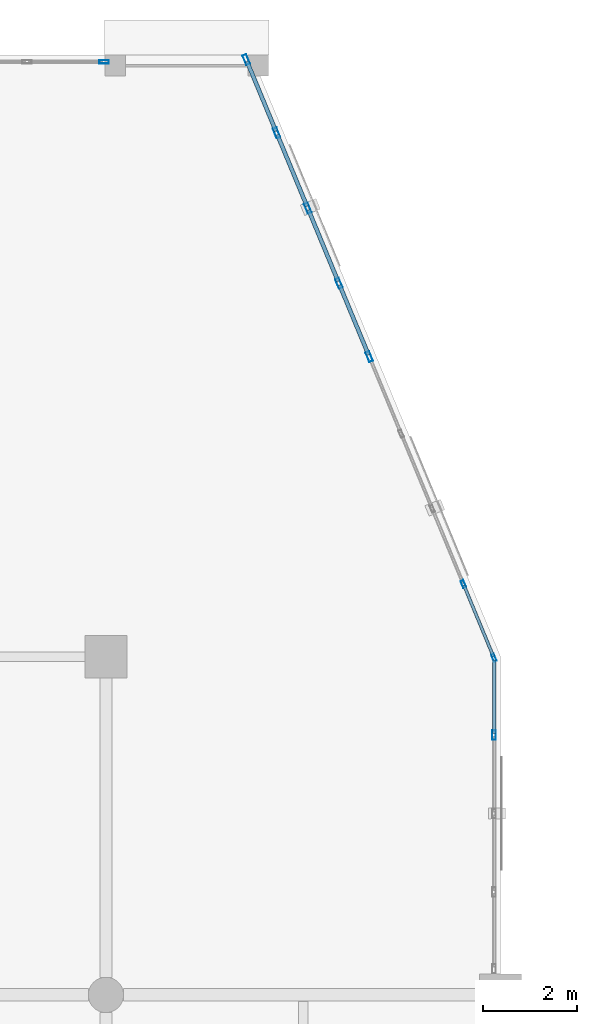
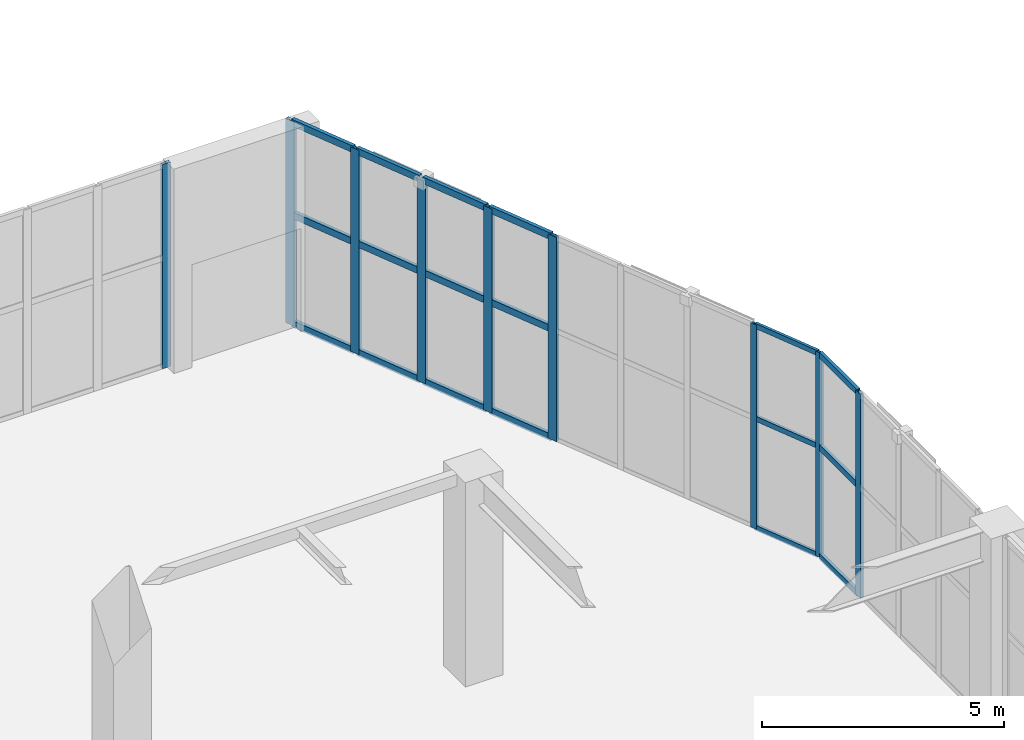
# One storey, part 64 of 139: 27 members, 4 elements without a shape of their own.
"""IFC4 building model written with IfcOpenShell, lengths in metres."""

import ifcopenshell
import ifcopenshell.guid

model = None  # the IFC model being written
_history = None  # IfcOwnerHistory: only IFC2X3 demands one
_inside = {}  # id of a spatial element -> (the spatial element, [elements in it])
_under = {}  # id of a project, library or spatial element -> (it, [spatial elements below it])
_declared = {}  # id of a project -> (the project, [libraries it declares])
_typed = {}  # id of a type object -> (the type object, [elements of that type])
_made_of = {}  # id of a material, layer set ... -> (it, [elements and type objects made of it])


def new_model(schema):
    """Start an empty IFC model of exactly this schema.

    Asked for "IFC4X3", IfcOpenShell would pick the latest addendum, in which some entities
    have other attributes; the version numbers below select the first issue.
    IFC2X3 requires an IfcOwnerHistory on every rooted entity: one is made here for all.
    """
    global model, _history
    if schema == "IFC4X3":
        model = ifcopenshell.file(schema_version=(4, 3, 0, 0))
    else:
        model = ifcopenshell.file(schema=schema)
    _inside.clear()
    _under.clear()
    _declared.clear()
    _typed.clear()
    _made_of.clear()
    _history = None
    if model.schema == "IFC2X3":
        org = make("IfcOrganization", Name="unknown")
        user = make(
            "IfcPersonAndOrganization",
            ThePerson=make("IfcPerson", FamilyName="unknown"),
            TheOrganization=org,
        )
        app = make(
            "IfcApplication",
            ApplicationDeveloper=org,
            Version="unknown",
            ApplicationFullName="unknown",
            ApplicationIdentifier="unknown",
        )
        _history = make(
            "IfcOwnerHistory",
            OwningUser=user,
            OwningApplication=app,
            ChangeAction="ADDED",
            CreationDate=0,
        )
    return model


def make(cls, **values):
    """One entity of the class cls with the attributes given. An attribute that is None is left unset."""
    return model.create_entity(
        cls, **{name: value for name, value in values.items() if value is not None}
    )


def rooted(cls, **values):
    """An entity with a GlobalId (a new one), such as an element, a storey or a relation."""
    return make(cls, GlobalId=ifcopenshell.guid.new(), OwnerHistory=_history, **values)


def si_unit(unit_type, name, prefix=None):
    """IfcSIUnit, for example si_unit("LENGTHUNIT", "METRE", prefix="MILLI")."""
    return make("IfcSIUnit", UnitType=unit_type, Prefix=prefix, Name=name)


def assignment(units):
    """IfcUnitAssignment: the units of a project."""
    return None if units is None else make("IfcUnitAssignment", Units=units)


def point(xyz):
    """IfcCartesianPoint."""
    return None if xyz is None else make("IfcCartesianPoint", Coordinates=xyz)


def direction(xyz):
    """IfcDirection."""
    return None if xyz is None else make("IfcDirection", DirectionRatios=xyz)


def frame(location, z_axis=None, x_axis=None):
    """IfcAxis2Placement3D, a coordinate frame: its origin and axes. An axis left out is left unset."""
    return make(
        "IfcAxis2Placement3D",
        Location=point(location),
        Axis=direction(z_axis),
        RefDirection=direction(x_axis),
    )


def frame_2d(location, x_axis=None):
    """IfcAxis2Placement2D, a coordinate frame in the plane: its origin and x axis."""
    return make(
        "IfcAxis2Placement2D", Location=point(location), RefDirection=direction(x_axis)
    )


def origin():
    """The frame at (0, 0, 0) with its axes left unset."""
    return frame((0.0, 0.0, 0.0))


def origin_2d():
    """The frame at (0, 0) in the plane with its x axis left unset."""
    return frame_2d((0.0, 0.0))


def place(relative_to, where):
    """IfcLocalPlacement: puts the frame where relative to a parent placement (None: the world)."""
    return make(
        "IfcLocalPlacement", PlacementRelTo=relative_to, RelativePlacement=where
    )


def context(
    kind, dimensions, precision=None, world=None, true_north=None, identifier=None
):
    """IfcGeometricRepresentationContext, for example the 3D "Model" context."""
    return make(
        "IfcGeometricRepresentationContext",
        ContextIdentifier=identifier,
        ContextType=kind,
        CoordinateSpaceDimension=dimensions,
        Precision=precision,
        WorldCoordinateSystem=world,
        TrueNorth=true_north,
    )


def subcontext(parent, identifier, kind, view, scale=None):
    """IfcGeometricRepresentationSubContext, for example "Body" below "Model"."""
    return make(
        "IfcGeometricRepresentationSubContext",
        ContextIdentifier=identifier,
        ContextType=kind,
        ParentContext=parent,
        TargetScale=scale,
        TargetView=view,
    )


def project(units=None, contexts=None):
    """IfcProject with its units and contexts."""
    return rooted(
        "IfcProject",
        Name="project",
        RepresentationContexts=contexts,
        UnitsInContext=assignment(units),
    )


def spatial(cls, under=None, at=None, **own):
    """A site, building, storey or space (cls), placed at a placement, below another one or the project."""
    s = rooted(cls, ObjectPlacement=at, **own)
    if under is not None:
        _under.setdefault(under.id(), (under, []))[1].append(s)
    return s


def profile(cls, at=None, kind="AREA", **sizes):
    """A parametric profile (cls). Its sizes go by their IFC names, for example OverallWidth=200.0."""
    return make(cls, ProfileType=kind, Position=at, **sizes)


def hollow_rectangle(**sizes):
    """IfcRectangleHollowProfileDef."""
    return profile("IfcRectangleHollowProfileDef", **sizes)


def extrude(swept, where, along, depth):
    """IfcExtrudedAreaSolid: the profile swept, set in the frame where, extruded along a direction by depth."""
    return make(
        "IfcExtrudedAreaSolid",
        SweptArea=swept,
        Position=where,
        ExtrudedDirection=direction(along),
        Depth=depth,
    )


def shape(context_of_items, identifier, shape_type, items):
    """IfcShapeRepresentation: the items that make up one representation, for example the "Body"."""
    return make(
        "IfcShapeRepresentation",
        ContextOfItems=context_of_items,
        RepresentationIdentifier=identifier,
        RepresentationType=shape_type,
        Items=items,
    )


def material(Name=None, Category=None):
    """IfcMaterial."""
    return make("IfcMaterial", Name=Name, Category=Category)


def layer(
    of_material, thickness, ventilated=None, Name=None, Category=None, Priority=None
):
    """IfcMaterialLayer: one layer of a wall or slab, of a material (None: an air gap)."""
    return make(
        "IfcMaterialLayer",
        Material=of_material,
        LayerThickness=thickness,
        IsVentilated=ventilated,
        Name=Name,
        Category=Category,
        Priority=Priority,
    )


def layer_set(layers, Name=None):
    """IfcMaterialLayerSet."""
    return make("IfcMaterialLayerSet", MaterialLayers=layers, LayerSetName=Name)


def material_profile(
    of_material, cross_section, Name=None, Category=None, Priority=None
):
    """IfcMaterialProfile: a cross section and its material."""
    return make(
        "IfcMaterialProfile",
        Name=Name,
        Material=of_material,
        Profile=cross_section,
        Priority=Priority,
        Category=Category,
    )


def profile_set(profiles, Name=None, composite=None):
    """IfcMaterialProfileSet."""
    return make(
        "IfcMaterialProfileSet",
        Name=Name,
        MaterialProfiles=profiles,
        CompositeProfile=composite,
    )


def made_of(thing, what):
    """Note that an element or type object is made of a material, layer set ...; save() writes the relation."""
    if what is not None:
        _made_of.setdefault(what.id(), (what, []))[1].append(thing)
    return thing


def type_object(cls, material=None, **own):
    """A type object (cls), such as IfcWallType, which elements share."""
    return made_of(rooted(cls, **own), material)


def element(
    cls,
    number,
    at=None,
    inside=None,
    cuts=None,
    type_object=None,
    material=None,
    context=None,
    identifier="Body",
    shape_type=None,
    held_by="IfcProductDefinitionShape",
    body=None,
    shapes=None,
    **own,
):
    """One element of the class cls, such as IfcWall. Its Tag is "e" and its number.

    at: its placement. inside: the storey or other place that contains it. cuts: it is an
    opening in that element (IfcRelVoidsElement). A single representation is given by context,
    identifier, shape_type and body (its items); several are given by shapes. held_by: the class
    of the entity that holds the representations. save() writes the other relations.
    """
    e = rooted(cls, Tag="e%d" % number, ObjectPlacement=at, **own)
    if body is not None:
        shapes = [shape(context, identifier, shape_type, body)]
    if shapes is not None:
        e.Representation = make(held_by, Representations=shapes)
    if inside is not None:
        _inside.setdefault(inside.id(), (inside, []))[1].append(e)
    if cuts is not None:
        rooted(
            "IfcRelVoidsElement", RelatingBuildingElement=cuts, RelatedOpeningElement=e
        )
    if type_object is not None:
        _typed.setdefault(type_object.id(), (type_object, []))[1].append(e)
    return made_of(e, material)


def aggregate(whole, parts):
    """IfcRelAggregates: a whole, such as a stair, and the parts it consists of."""
    return rooted("IfcRelAggregates", RelatingObject=whole, RelatedObjects=parts)


def save(model, path):
    """Write the relations noted so far, then the file.

    IfcRelAggregates (storeys below a building ...), IfcRelContainedInSpatialStructure (elements
    in a storey), IfcRelDefinesByType, IfcRelAssociatesMaterial and IfcRelDeclares: one each for
    every whole, place, type object, material and project.
    """
    for whole, parts in _under.values():
        aggregate(whole, parts)
    for where, things in _inside.values():
        rooted(
            "IfcRelContainedInSpatialStructure",
            RelatedElements=things,
            RelatingStructure=where,
        )
    for kind, things in _typed.values():
        rooted("IfcRelDefinesByType", RelatedObjects=things, RelatingType=kind)
    for what, things in _made_of.values():
        rooted("IfcRelAssociatesMaterial", RelatedObjects=things, RelatingMaterial=what)
    for by, libraries in _declared.values():
        rooted("IfcRelDeclares", RelatingContext=by, RelatedDefinitions=libraries)
    model.write(path)


model = new_model("IFC4")

# Units and contexts
model_context = context("Model", 3, precision=1e-05, world=origin(), true_north=direction((0.0, 1.0)))
body_context = subcontext(model_context, "Body", "Model", "MODEL_VIEW")
ifc_project = project(units=[si_unit("LENGTHUNIT", "METRE"), si_unit("AREAUNIT", "SQUARE_METRE"), si_unit("VOLUMEUNIT", "CUBIC_METRE"), si_unit("PLANEANGLEUNIT", "RADIAN"), si_unit("MASSUNIT", "GRAM", prefix="KILO")], contexts=[model_context])

# Site, building, storey
site_placement = place(None, origin())
site = spatial("IfcSite", under=ifc_project, at=site_placement, CompositionType="ELEMENT")
building_placement = place(site_placement, origin())
building = spatial("IfcBuilding", under=site, at=building_placement, Name="Xicomal Pleat Aquarium", CompositionType="ELEMENT")
storey_placement = place(building_placement, origin())
storey = spatial("IfcBuildingStorey", under=building, at=storey_placement, Name="L01", CompositionType="ELEMENT", Elevation=0.0)

# Curtain wall, members
ifc_material_1 = material(Name="Bronze anodized aluminium 6063-T6", Category="aluminium")
ifc_layer_1 = layer(ifc_material_1, 0.159912109375)
ifc_layer_set_1 = layer_set([ifc_layer_1], Name="Bronze anodized aluminium 6063-T6")
curtain_wall_type_1 = type_object("IfcCurtainWallType", Name="CW-SYS-01", PredefinedType="NOTDEFINED", material=ifc_layer_set_1)
curtain_wall_1_placement = place(storey_placement, origin())
curtain_wall_1 = element("IfcCurtainWall", 1, at=curtain_wall_1_placement, inside=storey, type_object=curtain_wall_type_1, Name="L01 unitised curtain wall CW-L01-018", PredefinedType="NOTDEFINED")
ifc_material_2 = material(Name="Bronze anodized aluminium 6063-T6", Category="aluminium")
ifc_material_profile_1 = material_profile(ifc_material_2, hollow_rectangle(XDim=0.06494140625, YDim=0.159912109375, WallThickness=0.00390625, at=origin_2d()), Name="ALU MULL 65x160")
ifc_profile_set_1 = profile_set([ifc_material_profile_1], Name="Bronze anodized aluminium 6063-T6")
member_type_1 = type_object("IfcMemberType", Name="CWM-65x160", PredefinedType="MULLION", material=ifc_profile_set_1)
member_1_placement = place(storey_placement, frame((26.20849609375, 99.946044921875, 0.0), z_axis=(0.0, 0.0, 1.0), x_axis=(0.923928870591, 0.382564297978, 0.0)))
member_1 = element("IfcMember", 2, at=member_1_placement, type_object=member_type_1, Name="CW-01 mullion 4", PredefinedType="MULLION", context=body_context, shape_type="SweptSolid", body=[
    extrude(hollow_rectangle(XDim=0.06494140625, YDim=0.159912109375, WallThickness=0.00390625, at=origin_2d()), origin(), (0.0, 0.0, 1.0), 5.159912109375),
])
member_2_placement = place(storey_placement, frame((26.858642578125, 98.3759765625, 0.0), z_axis=(0.0, 0.0, 1.0), x_axis=(0.923928870591, 0.382564297978, 0.0)))
member_2 = element("IfcMember", 3, at=member_2_placement, type_object=member_type_1, Name="CW-01 mullion 5", PredefinedType="MULLION", context=body_context, shape_type="SweptSolid", body=[
    extrude(hollow_rectangle(XDim=0.06494140625, YDim=0.159912109375, WallThickness=0.00390625, at=origin_2d()), origin(), (0.0, 0.0, 1.0), 5.159912109375),
])

# Curtain wall, member
ifc_material_3 = material(Name="Bronze anodized aluminium 6063-T6", Category="aluminium")
ifc_layer_2 = layer(ifc_material_3, 0.159912109375)
ifc_layer_set_2 = layer_set([ifc_layer_2], Name="Bronze anodized aluminium 6063-T6")
curtain_wall_type_2 = type_object("IfcCurtainWallType", Name="CW-SYS-06", PredefinedType="NOTDEFINED", material=ifc_layer_set_2)
curtain_wall_2_placement = place(storey_placement, origin())
curtain_wall_2 = element("IfcCurtainWall", 4, at=curtain_wall_2_placement, inside=storey, type_object=curtain_wall_type_2, Name="L01 unitised curtain wall CW-L01-016", PredefinedType="NOTDEFINED")
ifc_material_4 = material(Name="Bronze anodized aluminium 6063-T6", Category="aluminium")
ifc_material_profile_2 = material_profile(ifc_material_4, hollow_rectangle(XDim=0.074951171875, YDim=0.199951171875, WallThickness=0.00439453125, at=origin_2d()), Name="ALU MULL 75x200")
ifc_profile_set_2 = profile_set([ifc_material_profile_2], Name="Bronze anodized aluminium 6063-T6")
member_type_2 = type_object("IfcMemberType", Name="CWM-75x200", PredefinedType="MULLION", material=ifc_profile_set_2)
member_3_placement = place(storey_placement, frame((18.5625, 111.06005859375, 0.0), z_axis=(0.0, 0.0, 1.0), x_axis=(0.0, 1.0, 0.0)))
member_3 = element("IfcMember", 5, at=member_3_placement, type_object=member_type_2, Name="CW-06 mullion 6", PredefinedType="MULLION", context=body_context, shape_type="SweptSolid", body=[
    extrude(hollow_rectangle(XDim=0.074951171875, YDim=0.199951171875, WallThickness=0.00439453125, at=origin_2d()), origin(), (0.0, 0.0, 1.0), 5.159912109375),
])
aggregate(curtain_wall_2, [member_3])

curtain_wall_3_placement = place(storey_placement, origin())
curtain_wall_3 = element("IfcCurtainWall", 6, at=curtain_wall_3_placement, inside=storey, type_object=curtain_wall_type_2, Name="L01 unitised curtain wall CW-L01-019", PredefinedType="NOTDEFINED")
member_4_placement = place(storey_placement, frame((26.860107421875, 96.72998046875, 0.0), z_axis=(0.0, 0.0, 1.0), x_axis=(1.0, 0.0, 0.0)))
member_4 = element("IfcMember", 7, at=member_4_placement, type_object=member_type_2, Name="CW-06 mullion 2", PredefinedType="MULLION", context=body_context, shape_type="SweptSolid", body=[
    extrude(hollow_rectangle(XDim=0.074951171875, YDim=0.199951171875, WallThickness=0.00439453125, at=origin_2d()), origin(), (0.0, 0.0, 1.0), 5.159912109375),
])

# Curtain wall, members
ifc_material_5 = material(Name="Bronze anodized aluminium 6063-T6", Category="aluminium")
ifc_layer_3 = layer(ifc_material_5, 0.159912109375)
ifc_layer_set_3 = layer_set([ifc_layer_3], Name="Bronze anodized aluminium 6063-T6")
curtain_wall_type_3 = type_object("IfcCurtainWallType", Name="CW-SYS-11", PredefinedType="NOTDEFINED", material=ifc_layer_set_3)
curtain_wall_4_placement = place(storey_placement, origin())
curtain_wall_4 = element("IfcCurtainWall", 8, at=curtain_wall_4_placement, inside=storey, type_object=curtain_wall_type_3, Name="L01 unitised curtain wall CW-L01-017", PredefinedType="NOTDEFINED")
ifc_material_6 = material(Name="Bronze anodized aluminium 6063-T6", Category="aluminium")
ifc_material_profile_3 = material_profile(ifc_material_6, hollow_rectangle(XDim=0.0849609375, YDim=0.219970703125, WallThickness=0.0048828125, at=origin_2d()), Name="ALU MULL 85x220")
ifc_profile_set_3 = profile_set([ifc_material_profile_3], Name="Bronze anodized aluminium 6063-T6")
member_type_3 = type_object("IfcMemberType", Name="CWM-85x220", PredefinedType="MULLION", material=ifc_profile_set_3)
member_5_placement = place(storey_placement, frame((21.58740234375, 111.106689453125, 0.0), z_axis=(0.0, 0.0, 1.0), x_axis=(0.923928870591, 0.382564297978, 0.0)))
member_5 = element("IfcMember", 9, at=member_5_placement, type_object=member_type_3, Name="CW-11 mullion 1", PredefinedType="MULLION", context=body_context, shape_type="SweptSolid", body=[
    extrude(hollow_rectangle(XDim=0.0849609375, YDim=0.219970703125, WallThickness=0.0048828125, at=origin_2d()), origin(), (0.0, 0.0, 1.0), 5.159912109375),
])
member_6_placement = place(storey_placement, frame((22.2333984375, 109.5458984375, 0.0), z_axis=(0.0, 0.0, 1.0), x_axis=(0.923928870591, 0.382564297978, 0.0)))
member_6 = element("IfcMember", 10, at=member_6_placement, type_object=member_type_3, Name="CW-11 mullion 2", PredefinedType="MULLION", context=body_context, shape_type="SweptSolid", body=[
    extrude(hollow_rectangle(XDim=0.0849609375, YDim=0.219970703125, WallThickness=0.0048828125, at=origin_2d()), origin(), (0.0, 0.0, 1.0), 5.159912109375),
])
member_7_placement = place(storey_placement, frame((22.89599609375, 107.946044921875, 0.0), z_axis=(0.0, 0.0, 1.0), x_axis=(0.923928870591, 0.382564297978, 0.0)))
member_7 = element("IfcMember", 11, at=member_7_placement, type_object=member_type_3, Name="CW-11 mullion 3", PredefinedType="MULLION", context=body_context, shape_type="SweptSolid", body=[
    extrude(hollow_rectangle(XDim=0.0849609375, YDim=0.219970703125, WallThickness=0.0048828125, at=origin_2d()), origin(), (0.0, 0.0, 1.0), 5.159912109375),
])
member_8_placement = place(storey_placement, frame((23.55859375, 106.345947265625, 0.0), z_axis=(0.0, 0.0, 1.0), x_axis=(0.923928870591, 0.382564297978, 0.0)))
member_8 = element("IfcMember", 12, at=member_8_placement, type_object=member_type_3, Name="CW-11 mullion 4", PredefinedType="MULLION", context=body_context, shape_type="SweptSolid", body=[
    extrude(hollow_rectangle(XDim=0.0849609375, YDim=0.219970703125, WallThickness=0.0048828125, at=origin_2d()), origin(), (0.0, 0.0, 1.0), 5.159912109375),
])
member_9_placement = place(storey_placement, frame((24.20458984375, 104.785400390625, 0.0), z_axis=(0.0, 0.0, 1.0), x_axis=(0.923928870591, 0.382564297978, 0.0)))
member_9 = element("IfcMember", 13, at=member_9_placement, type_object=member_type_3, Name="CW-11 mullion 5", PredefinedType="MULLION", context=body_context, shape_type="SweptSolid", body=[
    extrude(hollow_rectangle(XDim=0.0849609375, YDim=0.219970703125, WallThickness=0.0048828125, at=origin_2d()), origin(), (0.0, 0.0, 1.0), 5.159912109375),
])

# Member
ifc_material_7 = material(Name="Bronze anodized aluminium 6063-T6", Category="aluminium")
ifc_material_profile_4 = material_profile(ifc_material_7, hollow_rectangle(XDim=0.06494140625, YDim=0.1298828125, WallThickness=0.00390625, at=origin_2d()), Name="ALU TRAN 65x130")
ifc_profile_set_4 = profile_set([ifc_material_profile_4], Name="Bronze anodized aluminium 6063-T6")
member_type_4 = type_object("IfcMemberType", Name="CWT-65x130", PredefinedType="USERDEFINED", material=ifc_profile_set_4)
member_10_placement = place(storey_placement, frame((26.220947265625, 99.916015625, 0.032470703125), z_axis=(0.382567286707, -0.923927633065, 0.0), x_axis=(0.923927633065, 0.382567286707, 0.0)))
member_10 = element("IfcMember", 14, at=member_10_placement, type_object=member_type_4, Name="CW-01 transom 4.1", ObjectType="TRANSOM", PredefinedType="USERDEFINED", context=body_context, shape_type="SweptSolid", body=[
    extrude(hollow_rectangle(XDim=0.06494140625, YDim=0.1298828125, WallThickness=0.00390625, at=origin_2d()), origin(), (0.0, 0.0, 1.0), 1.63427734375),
])

member_11_placement = place(storey_placement, frame((26.220947265625, 99.916015625, 2.785888671875), z_axis=(0.382567286707, -0.923927633065, 0.0), x_axis=(0.923927633065, 0.382567286707, 0.0)))
member_11 = element("IfcMember", 15, at=member_11_placement, type_object=member_type_4, Name="CW-01 transom 4.2", ObjectType="TRANSOM", PredefinedType="USERDEFINED", context=body_context, shape_type="SweptSolid", body=[
    extrude(hollow_rectangle(XDim=0.06494140625, YDim=0.1298828125, WallThickness=0.00390625, at=origin_2d()), origin(), (0.0, 0.0, 1.0), 1.63427734375),
])

member_12_placement = place(storey_placement, frame((26.220947265625, 99.916015625, 5.12744140625), z_axis=(0.382567286707, -0.923927633065, 0.0), x_axis=(0.923927633065, 0.382567286707, 0.0)))
member_12 = element("IfcMember", 16, at=member_12_placement, type_object=member_type_4, Name="CW-01 transom 4.3", ObjectType="TRANSOM", PredefinedType="USERDEFINED", context=body_context, shape_type="SweptSolid", body=[
    extrude(hollow_rectangle(XDim=0.06494140625, YDim=0.1298828125, WallThickness=0.00390625, at=origin_2d()), origin(), (0.0, 0.0, 1.0), 1.63427734375),
])

aggregate(curtain_wall_1, [member_1, member_2, member_10, member_11, member_12])

ifc_material_8 = material(Name="Bronze anodized aluminium 6063-T6", Category="aluminium")
ifc_material_profile_5 = material_profile(ifc_material_8, hollow_rectangle(XDim=0.074951171875, YDim=0.14990234375, WallThickness=0.00439453125, at=origin_2d()), Name="ALU TRAN 75x150")
ifc_profile_set_5 = profile_set([ifc_material_profile_5], Name="Bronze anodized aluminium 6063-T6")
member_type_5 = type_object("IfcMemberType", Name="CWT-75x150", PredefinedType="USERDEFINED", material=ifc_profile_set_5)
member_13_placement = place(storey_placement, frame((26.860107421875, 98.324951171875, 0.03759765625), z_axis=(0.0, -1.0, 0.0), x_axis=(1.0, 0.0, 0.0)))
member_13 = element("IfcMember", 17, at=member_13_placement, type_object=member_type_5, Name="CW-06 transom 1.1", ObjectType="TRANSOM", PredefinedType="USERDEFINED", context=body_context, shape_type="SweptSolid", body=[
    extrude(hollow_rectangle(XDim=0.074951171875, YDim=0.14990234375, WallThickness=0.00439453125, at=origin_2d()), origin(), (0.0, 0.0, 1.0), 1.557373046875),
])

member_14_placement = place(storey_placement, frame((26.860107421875, 98.324951171875, 2.785888671875), z_axis=(0.0, -1.0, 0.0), x_axis=(1.0, 0.0, 0.0)))
member_14 = element("IfcMember", 18, at=member_14_placement, type_object=member_type_5, Name="CW-06 transom 1.2", ObjectType="TRANSOM", PredefinedType="USERDEFINED", context=body_context, shape_type="SweptSolid", body=[
    extrude(hollow_rectangle(XDim=0.074951171875, YDim=0.14990234375, WallThickness=0.00439453125, at=origin_2d()), origin(), (0.0, 0.0, 1.0), 1.557373046875),
])

member_15_placement = place(storey_placement, frame((26.860107421875, 98.324951171875, 5.12255859375), z_axis=(0.0, -1.0, 0.0), x_axis=(1.0, 0.0, 0.0)))
member_15 = element("IfcMember", 19, at=member_15_placement, type_object=member_type_5, Name="CW-06 transom 1.3", ObjectType="TRANSOM", PredefinedType="USERDEFINED", context=body_context, shape_type="SweptSolid", body=[
    extrude(hollow_rectangle(XDim=0.074951171875, YDim=0.14990234375, WallThickness=0.00439453125, at=origin_2d()), origin(), (0.0, 0.0, 1.0), 1.557373046875),
])

aggregate(curtain_wall_3, [member_4, member_13, member_14, member_15])

ifc_material_9 = material(Name="Bronze anodized aluminium 6063-T6", Category="aluminium")
ifc_material_profile_6 = material_profile(ifc_material_9, hollow_rectangle(XDim=0.0849609375, YDim=0.169921875, WallThickness=0.0048828125, at=origin_2d()), Name="ALU TRAN 85x170")
ifc_profile_set_6 = profile_set([ifc_material_profile_6], Name="Bronze anodized aluminium 6063-T6")
member_type_6 = type_object("IfcMemberType", Name="CWT-85x170", PredefinedType="USERDEFINED", material=ifc_profile_set_6)
member_16_placement = place(storey_placement, frame((21.603515625, 111.0673828125, 0.04248046875), z_axis=(0.382593730998, -0.923916682932, 0.0), x_axis=(0.923916682932, 0.382593730998, 0.0)))
member_16 = element("IfcMember", 20, at=member_16_placement, type_object=member_type_6, Name="CW-11 transom 1.1", ObjectType="TRANSOM", PredefinedType="USERDEFINED", context=body_context, shape_type="SweptSolid", body=[
    extrude(hollow_rectangle(XDim=0.0849609375, YDim=0.169921875, WallThickness=0.0048828125, at=origin_2d()), origin(), (0.0, 0.0, 1.0), 1.604248046875),
])

member_17_placement = place(storey_placement, frame((21.603515625, 111.0673828125, 2.785888671875), z_axis=(0.382593730998, -0.923916682932, 0.0), x_axis=(0.923916682932, 0.382593730998, 0.0)))
member_17 = element("IfcMember", 21, at=member_17_placement, type_object=member_type_6, Name="CW-11 transom 1.2", ObjectType="TRANSOM", PredefinedType="USERDEFINED", context=body_context, shape_type="SweptSolid", body=[
    extrude(hollow_rectangle(XDim=0.0849609375, YDim=0.169921875, WallThickness=0.0048828125, at=origin_2d()), origin(), (0.0, 0.0, 1.0), 1.604248046875),
])

member_18_placement = place(storey_placement, frame((21.603515625, 111.0673828125, 5.117431640625), z_axis=(0.382593730998, -0.923916682932, 0.0), x_axis=(0.923916682932, 0.382593730998, 0.0)))
member_18 = element("IfcMember", 22, at=member_18_placement, type_object=member_type_6, Name="CW-11 transom 1.3", ObjectType="TRANSOM", PredefinedType="USERDEFINED", context=body_context, shape_type="SweptSolid", body=[
    extrude(hollow_rectangle(XDim=0.0849609375, YDim=0.169921875, WallThickness=0.0048828125, at=origin_2d()), origin(), (0.0, 0.0, 1.0), 1.604248046875),
])

member_19_placement = place(storey_placement, frame((22.249755859375, 109.506591796875, 0.04248046875), z_axis=(0.382561331304, -0.923930098975, 0.0), x_axis=(0.923930098975, 0.382561331304, 0.0)))
member_19 = element("IfcMember", 23, at=member_19_placement, type_object=member_type_6, Name="CW-11 transom 2.1", ObjectType="TRANSOM", PredefinedType="USERDEFINED", context=body_context, shape_type="SweptSolid", body=[
    extrude(hollow_rectangle(XDim=0.0849609375, YDim=0.169921875, WallThickness=0.0048828125, at=origin_2d()), origin(), (0.0, 0.0, 1.0), 1.646484375),
])

member_20_placement = place(storey_placement, frame((22.249755859375, 109.506591796875, 2.785888671875), z_axis=(0.382561331304, -0.923930098975, 0.0), x_axis=(0.923930098975, 0.382561331304, 0.0)))
member_20 = element("IfcMember", 24, at=member_20_placement, type_object=member_type_6, Name="CW-11 transom 2.2", ObjectType="TRANSOM", PredefinedType="USERDEFINED", context=body_context, shape_type="SweptSolid", body=[
    extrude(hollow_rectangle(XDim=0.0849609375, YDim=0.169921875, WallThickness=0.0048828125, at=origin_2d()), origin(), (0.0, 0.0, 1.0), 1.646484375),
])

member_21_placement = place(storey_placement, frame((22.249755859375, 109.506591796875, 5.117431640625), z_axis=(0.382561331304, -0.923930098975, 0.0), x_axis=(0.923930098975, 0.382561331304, 0.0)))
member_21 = element("IfcMember", 25, at=member_21_placement, type_object=member_type_6, Name="CW-11 transom 2.3", ObjectType="TRANSOM", PredefinedType="USERDEFINED", context=body_context, shape_type="SweptSolid", body=[
    extrude(hollow_rectangle(XDim=0.0849609375, YDim=0.169921875, WallThickness=0.0048828125, at=origin_2d()), origin(), (0.0, 0.0, 1.0), 1.646484375),
])

member_22_placement = place(storey_placement, frame((22.912353515625, 107.90673828125, 0.04248046875), z_axis=(0.382508926976, -0.923951795703, 0.0), x_axis=(0.923951795703, 0.382508926976, 0.0)))
member_22 = element("IfcMember", 26, at=member_22_placement, type_object=member_type_6, Name="CW-11 transom 3.1", ObjectType="TRANSOM", PredefinedType="USERDEFINED", context=body_context, shape_type="SweptSolid", body=[
    extrude(hollow_rectangle(XDim=0.0849609375, YDim=0.169921875, WallThickness=0.0048828125, at=origin_2d()), origin(), (0.0, 0.0, 1.0), 1.646728515625),
])

member_23_placement = place(storey_placement, frame((22.912353515625, 107.90673828125, 2.785888671875), z_axis=(0.382508926976, -0.923951795703, 0.0), x_axis=(0.923951795703, 0.382508926976, 0.0)))
member_23 = element("IfcMember", 27, at=member_23_placement, type_object=member_type_6, Name="CW-11 transom 3.2", ObjectType="TRANSOM", PredefinedType="USERDEFINED", context=body_context, shape_type="SweptSolid", body=[
    extrude(hollow_rectangle(XDim=0.0849609375, YDim=0.169921875, WallThickness=0.0048828125, at=origin_2d()), origin(), (0.0, 0.0, 1.0), 1.646728515625),
])

member_24_placement = place(storey_placement, frame((22.912353515625, 107.90673828125, 5.117431640625), z_axis=(0.382508926976, -0.923951795703, 0.0), x_axis=(0.923951795703, 0.382508926976, 0.0)))
member_24 = element("IfcMember", 28, at=member_24_placement, type_object=member_type_6, Name="CW-11 transom 3.3", ObjectType="TRANSOM", PredefinedType="USERDEFINED", context=body_context, shape_type="SweptSolid", body=[
    extrude(hollow_rectangle(XDim=0.0849609375, YDim=0.169921875, WallThickness=0.0048828125, at=origin_2d()), origin(), (0.0, 0.0, 1.0), 1.646728515625),
])

member_25_placement = place(storey_placement, frame((23.57470703125, 106.306640625, 0.04248046875), z_axis=(0.382593730998, -0.923916682932, 0.0), x_axis=(0.923916682932, 0.382593730998, 0.0)))
member_25 = element("IfcMember", 29, at=member_25_placement, type_object=member_type_6, Name="CW-11 transom 4.1", ObjectType="TRANSOM", PredefinedType="USERDEFINED", context=body_context, shape_type="SweptSolid", body=[
    extrude(hollow_rectangle(XDim=0.0849609375, YDim=0.169921875, WallThickness=0.0048828125, at=origin_2d()), origin(), (0.0, 0.0, 1.0), 1.604248046875),
])

member_26_placement = place(storey_placement, frame((23.57470703125, 106.306640625, 2.785888671875), z_axis=(0.382593730998, -0.923916682932, 0.0), x_axis=(0.923916682932, 0.382593730998, 0.0)))
member_26 = element("IfcMember", 30, at=member_26_placement, type_object=member_type_6, Name="CW-11 transom 4.2", ObjectType="TRANSOM", PredefinedType="USERDEFINED", context=body_context, shape_type="SweptSolid", body=[
    extrude(hollow_rectangle(XDim=0.0849609375, YDim=0.169921875, WallThickness=0.0048828125, at=origin_2d()), origin(), (0.0, 0.0, 1.0), 1.604248046875),
])

member_27_placement = place(storey_placement, frame((23.57470703125, 106.306640625, 5.117431640625), z_axis=(0.382593730998, -0.923916682932, 0.0), x_axis=(0.923916682932, 0.382593730998, 0.0)))
member_27 = element("IfcMember", 31, at=member_27_placement, type_object=member_type_6, Name="CW-11 transom 4.3", ObjectType="TRANSOM", PredefinedType="USERDEFINED", context=body_context, shape_type="SweptSolid", body=[
    extrude(hollow_rectangle(XDim=0.0849609375, YDim=0.169921875, WallThickness=0.0048828125, at=origin_2d()), origin(), (0.0, 0.0, 1.0), 1.604248046875),
])

aggregate(curtain_wall_4, [member_5, member_6, member_7, member_8, member_9, member_16, member_17, member_18, member_19, member_20, member_21, member_22, member_23, member_24, member_25, member_26, member_27])

save(model, "model.ifc")
